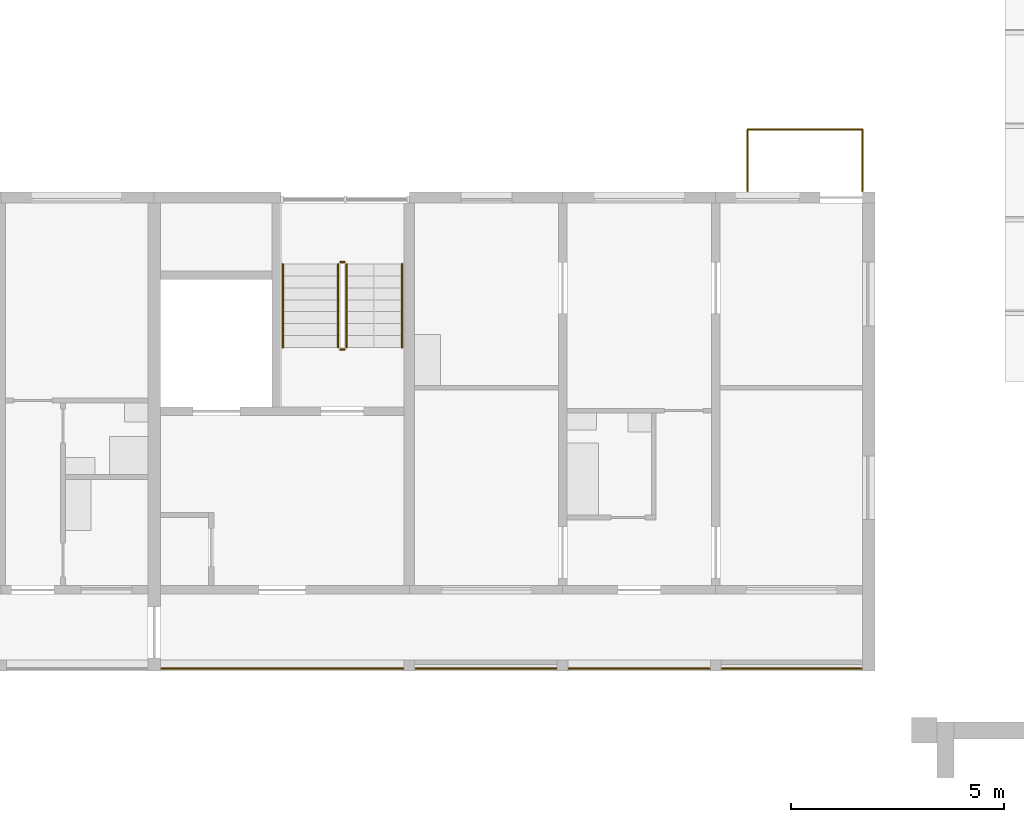
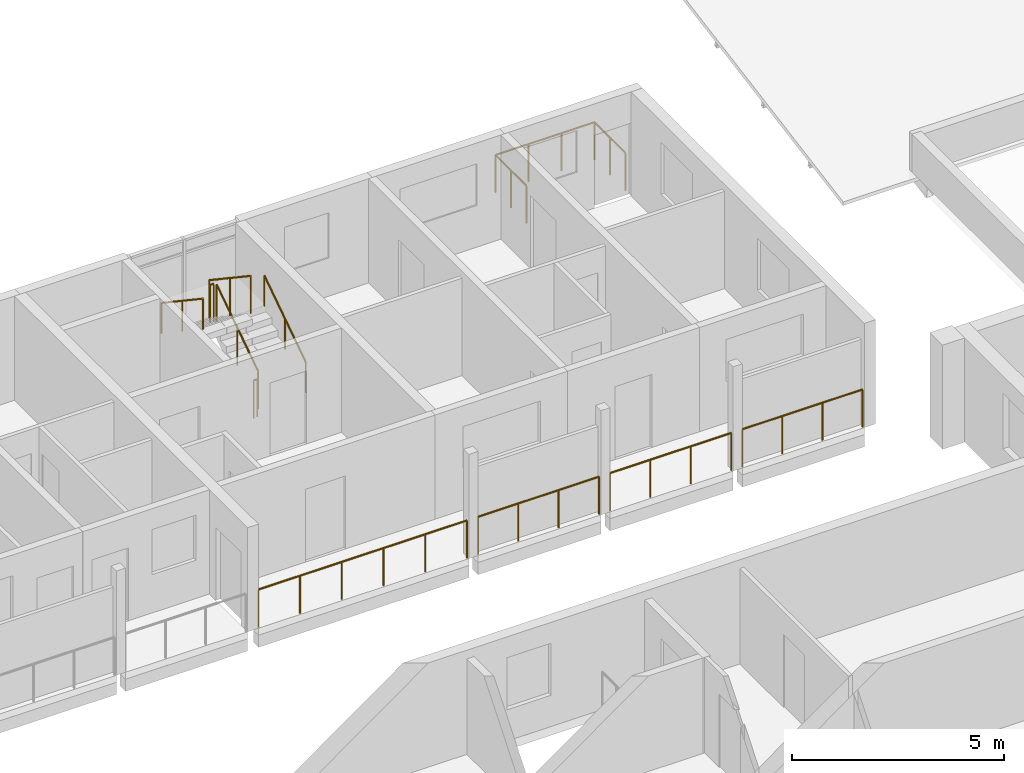
# One storey, part 110 of 122: 11 railings.
"""IFC4 building model written with IfcOpenShell, lengths in metres."""

from ifc_helpers import new_model, si_unit, direction, frame, origin, origin_2d, place, context, subcontext, project, spatial, circle, extrude, material, type_object, element, save


model = new_model("IFC4")

# Units and contexts
model_context = context("Model", 3, precision=1e-05, world=origin(), true_north=direction((0.0, 1.0)))
body_context = subcontext(model_context, "Body", "Model", "MODEL_VIEW")
ifc_project = project(units=[si_unit("LENGTHUNIT", "METRE"), si_unit("AREAUNIT", "SQUARE_METRE"), si_unit("VOLUMEUNIT", "CUBIC_METRE"), si_unit("PLANEANGLEUNIT", "RADIAN"), si_unit("MASSUNIT", "GRAM", prefix="KILO")], contexts=[model_context])

# Site, building, storey
site_placement = place(None, origin())
site = spatial("IfcSite", under=ifc_project, at=site_placement, CompositionType="ELEMENT")
building_placement = place(site_placement, origin())
building = spatial("IfcBuilding", under=site, at=building_placement, Name="Ridgestep Commons", CompositionType="ELEMENT")
storey_placement = place(building_placement, frame((0.0, 0.0, 3.0)))
storey = spatial("IfcBuildingStorey", under=building, at=storey_placement, Name="L01", CompositionType="ELEMENT", Elevation=3.0)

# Railings
ifc_material_1 = material(Name="Structural steel S355JR", Category="steel")
railing_type_1 = type_object("IfcRailingType", Name="Guard 1100", PredefinedType="GUARDRAIL", material=ifc_material_1)
railing_1_placement = place(storey_placement, frame((96.1708984375, 66.050048828125, 0.0)))
element("IfcRailing", 1, at=railing_1_placement, inside=storey, type_object=railing_type_1, Name="Gallery guard B 01.21", PredefinedType="GUARDRAIL", context=body_context, shape_type="SweptSolid", body=[
    extrude(circle(Radius=0.02392578125, at=origin_2d()), frame((0.0, 0.0, 1.076171875), z_axis=(1.0, 0.0, 0.0), x_axis=(0.0, 1.0, 0.0)), (0.0, 0.0, 1.0), 5.68310546875),
    extrude(circle(Radius=0.02099609375, at=origin_2d()), origin(), (0.0, 0.0, 1.0), 1.052001953125),
    extrude(circle(Radius=0.02099609375, at=origin_2d()), frame((1.13671875, 0.0, 0.0)), (0.0, 0.0, 1.0), 1.052001953125),
    extrude(circle(Radius=0.02099609375, at=origin_2d()), frame((2.273193359375, 0.0, 0.0)), (0.0, 0.0, 1.0), 1.052001953125),
    extrude(circle(Radius=0.02099609375, at=origin_2d()), frame((3.409912109375, 0.0, 0.0)), (0.0, 0.0, 1.0), 1.052001953125),
    extrude(circle(Radius=0.02099609375, at=origin_2d()), frame((4.54638671875, 0.0, 0.0)), (0.0, 0.0, 1.0), 1.052001953125),
    extrude(circle(Radius=0.02099609375, at=origin_2d()), frame((5.68310546875, 0.0, 0.0)), (0.0, 0.0, 1.0), 1.052001953125),
])
railing_2_placement = place(storey_placement, frame((102.14599609375, 66.050048828125, 0.0)))
element("IfcRailing", 2, at=railing_2_placement, inside=storey, type_object=railing_type_1, Name="Gallery guard B 01.22", PredefinedType="GUARDRAIL", context=body_context, shape_type="SweptSolid", body=[
    extrude(circle(Radius=0.02392578125, at=origin_2d()), frame((0.0, 0.0, 1.076171875), z_axis=(1.0, 0.0, 0.0), x_axis=(0.0, 1.0, 0.0)), (0.0, 0.0, 1.0), 3.30810546875),
    extrude(circle(Radius=0.02099609375, at=origin_2d()), origin(), (0.0, 0.0, 1.0), 1.052001953125),
    extrude(circle(Radius=0.02099609375, at=origin_2d()), frame((1.102783203125, 0.0, 0.0)), (0.0, 0.0, 1.0), 1.052001953125),
    extrude(circle(Radius=0.02099609375, at=origin_2d()), frame((2.205322265625, 0.0, 0.0)), (0.0, 0.0, 1.0), 1.052001953125),
    extrude(circle(Radius=0.02099609375, at=origin_2d()), frame((3.30810546875, 0.0, 0.0)), (0.0, 0.0, 1.0), 1.052001953125),
])
railing_3_placement = place(storey_placement, frame((105.74609375, 66.050048828125, 0.0)))
element("IfcRailing", 3, at=railing_3_placement, inside=storey, type_object=railing_type_1, Name="Gallery guard B 01.23", PredefinedType="GUARDRAIL", context=body_context, shape_type="SweptSolid", body=[
    extrude(circle(Radius=0.02392578125, at=origin_2d()), frame((0.0, 0.0, 1.076171875), z_axis=(1.0, 0.0, 0.0), x_axis=(0.0, 1.0, 0.0)), (0.0, 0.0, 1.0), 3.307861328125),
    extrude(circle(Radius=0.02099609375, at=origin_2d()), origin(), (0.0, 0.0, 1.0), 1.052001953125),
    extrude(circle(Radius=0.02099609375, at=origin_2d()), frame((1.1025390625, 0.0, 0.0)), (0.0, 0.0, 1.0), 1.052001953125),
    extrude(circle(Radius=0.02099609375, at=origin_2d()), frame((2.205322265625, 0.0, 0.0)), (0.0, 0.0, 1.0), 1.052001953125),
    extrude(circle(Radius=0.02099609375, at=origin_2d()), frame((3.307861328125, 0.0, 0.0)), (0.0, 0.0, 1.0), 1.052001953125),
])
railing_4_placement = place(storey_placement, frame((109.345947265625, 66.050048828125, 0.0)))
element("IfcRailing", 4, at=railing_4_placement, inside=storey, type_object=railing_type_1, Name="Gallery guard B 01.24", PredefinedType="GUARDRAIL", context=body_context, shape_type="SweptSolid", body=[
    extrude(circle(Radius=0.02392578125, at=origin_2d()), frame((0.0, 0.0, 1.076171875), z_axis=(1.0, 0.0, 0.0), x_axis=(0.0, 1.0, 0.0)), (0.0, 0.0, 1.0), 3.282958984375),
    extrude(circle(Radius=0.02099609375, at=origin_2d()), origin(), (0.0, 0.0, 1.0), 1.052001953125),
    extrude(circle(Radius=0.02099609375, at=origin_2d()), frame((1.09423828125, 0.0, 0.0)), (0.0, 0.0, 1.0), 1.052001953125),
    extrude(circle(Radius=0.02099609375, at=origin_2d()), frame((2.188720703125, 0.0, 0.0)), (0.0, 0.0, 1.0), 1.052001953125),
    extrude(circle(Radius=0.02099609375, at=origin_2d()), frame((3.282958984375, 0.0, 0.0)), (0.0, 0.0, 1.0), 1.052001953125),
])
ifc_material_2 = material(Name="Structural steel S355JR", Category="steel")
railing_type_2 = type_object("IfcRailingType", Name="Stair guard 1100", PredefinedType="GUARDRAIL", material=ifc_material_2)
railing_5_placement = place(storey_placement, frame((100.52490234375, 73.60009765625, 0.1875)))
element("IfcRailing", 5, at=railing_5_placement, inside=storey, type_object=railing_type_2, Name="L01 B6C stair guard 1", PredefinedType="GUARDRAIL", context=body_context, shape_type="SweptSolid", body=[
    extrude(circle(Radius=0.02392578125, at=origin_2d()), frame((0.0, 0.0, 1.076171875), z_axis=(0.0, 0.830902050051, 0.556418712142), x_axis=(-1.0, 0.0, 0.0)), (0.0, 0.0, 1.0), 2.35888671875),
    extrude(circle(Radius=0.02099609375, at=origin_2d()), origin(), (0.0, 0.0, 1.0), 1.052001953125),
    extrude(circle(Radius=0.02099609375, at=origin_2d()), frame((0.0, 0.97998046875, 0.65625)), (0.0, 0.0, 1.0), 1.052001953125),
    extrude(circle(Radius=0.02099609375, at=origin_2d()), frame((0.0, 1.9599609375, 1.3125)), (0.0, 0.0, 1.0), 1.052001953125),
])
railing_6_placement = place(storey_placement, frame((100.47509765625, 75.610107421875, 1.5)))
element("IfcRailing", 6, at=railing_6_placement, inside=storey, type_object=railing_type_2, Name="L01 B6C stair guard 2", PredefinedType="GUARDRAIL", context=body_context, shape_type="SweptSolid", body=[
    extrude(circle(Radius=0.02392578125, at=origin_2d()), frame((0.0, 0.0, 1.076171875), z_axis=(-1.0, 0.0, 0.0), x_axis=(0.0, -1.0, 0.0)), (0.0, 0.0, 1.0), 0.10009765625),
    extrude(circle(Radius=0.02099609375, at=origin_2d()), origin(), (0.0, 0.0, 1.0), 1.052001953125),
    extrude(circle(Radius=0.02099609375, at=origin_2d()), frame((-0.10009765625, 0.0, 0.0)), (0.0, 0.0, 1.0), 1.052001953125),
])
railing_7_placement = place(storey_placement, frame((100.324951171875, 75.56005859375, 1.6875)))
element("IfcRailing", 7, at=railing_7_placement, inside=storey, type_object=railing_type_2, Name="L01 B6C stair guard 3", PredefinedType="GUARDRAIL", context=body_context, shape_type="SweptSolid", body=[
    extrude(circle(Radius=0.02392578125, at=origin_2d()), frame((0.0, 0.0, 1.076171875), z_axis=(0.0, -0.830902050051, 0.556418712142), x_axis=(1.0, 0.0, 0.0)), (0.0, 0.0, 1.0), 2.35888671875),
    extrude(circle(Radius=0.02099609375, at=origin_2d()), origin(), (0.0, 0.0, 1.0), 1.052001953125),
    extrude(circle(Radius=0.02099609375, at=origin_2d()), frame((0.0, -0.97998046875, 0.65625)), (0.0, 0.0, 1.0), 1.052001953125),
    extrude(circle(Radius=0.02099609375, at=origin_2d()), frame((0.0, -1.9599609375, 1.3125)), (0.0, 0.0, 1.0), 1.052001953125),
])
railing_8_placement = place(storey_placement, frame((100.47509765625, 73.550048828125, 0.0)))
element("IfcRailing", 8, at=railing_8_placement, inside=storey, type_object=railing_type_2, Name="L01 B6C stair guard 4", PredefinedType="GUARDRAIL", context=body_context, shape_type="SweptSolid", body=[
    extrude(circle(Radius=0.02392578125, at=origin_2d()), frame((0.0, 0.0, 1.076171875), z_axis=(-1.0, 0.0, 0.0), x_axis=(0.0, -1.0, 0.0)), (0.0, 0.0, 1.0), 0.10009765625),
    extrude(circle(Radius=0.02099609375, at=origin_2d()), origin(), (0.0, 0.0, 1.0), 1.052001953125),
    extrude(circle(Radius=0.02099609375, at=origin_2d()), frame((-0.10009765625, 0.0, 0.0)), (0.0, 0.0, 1.0), 1.052001953125),
])
ifc_material_3 = material(Name="Structural steel S355JR", Category="steel")
railing_type_3 = type_object("IfcRailingType", Name="Stair handrail 900", PredefinedType="HANDRAIL", material=ifc_material_3)
railing_9_placement = place(storey_placement, frame((101.824951171875, 73.60009765625, 0.1875)))
element("IfcRailing", 9, at=railing_9_placement, inside=storey, type_object=railing_type_3, Name="L01 B6C stair handrail 1", PredefinedType="HANDRAIL", context=body_context, shape_type="SweptSolid", body=[
    extrude(circle(Radius=0.02392578125, at=origin_2d()), frame((0.0, 0.0, 0.8759765625), z_axis=(0.0, 0.830902050051, 0.556418712142), x_axis=(-1.0, 0.0, 0.0)), (0.0, 0.0, 1.0), 2.35888671875),
    extrude(circle(Radius=0.02099609375, at=origin_2d()), origin(), (0.0, 0.0, 1.0), 0.851806640625),
    extrude(circle(Radius=0.02099609375, at=origin_2d()), frame((0.0, 0.97998046875, 0.65625)), (0.0, 0.0, 1.0), 0.851806640625),
    extrude(circle(Radius=0.02099609375, at=origin_2d()), frame((0.0, 1.9599609375, 1.3125)), (0.0, 0.0, 1.0), 0.851806640625),
])
railing_10_placement = place(storey_placement, frame((99.02490234375, 75.56005859375, 1.6875)))
element("IfcRailing", 10, at=railing_10_placement, inside=storey, type_object=railing_type_3, Name="L01 B6C stair handrail 2", PredefinedType="HANDRAIL", context=body_context, shape_type="SweptSolid", body=[
    extrude(circle(Radius=0.02392578125, at=origin_2d()), frame((0.0, 0.0, 0.8759765625), z_axis=(0.0, -0.830902050051, 0.556418712142), x_axis=(1.0, 0.0, 0.0)), (0.0, 0.0, 1.0), 2.35888671875),
    extrude(circle(Radius=0.02099609375, at=origin_2d()), origin(), (0.0, 0.0, 1.0), 0.851806640625),
    extrude(circle(Radius=0.02099609375, at=origin_2d()), frame((0.0, -0.97998046875, 0.65625)), (0.0, 0.0, 1.0), 0.851806640625),
    extrude(circle(Radius=0.02099609375, at=origin_2d()), frame((0.0, -1.9599609375, 1.3125)), (0.0, 0.0, 1.0), 0.851806640625),
])
ifc_material_4 = material(Name="Weathering steel S355J2W", Category="steel")
railing_type_4 = type_object("IfcRailingType", Name="Tray guard 1100", PredefinedType="GUARDRAIL", material=ifc_material_4)
railing_11_placement = place(storey_placement, frame((109.950927734375, 77.27099609375, 0.0)))
element("IfcRailing", 11, at=railing_11_placement, inside=storey, type_object=railing_type_4, Name="Tray guard B6T1-01", PredefinedType="GUARDRAIL", context=body_context, shape_type="SweptSolid", body=[
    extrude(circle(Radius=0.02392578125, at=origin_2d()), frame((0.0, 0.0, 1.076171875), z_axis=(0.0, 1.0, 0.0), x_axis=(-1.0, 0.0, 0.0)), (0.0, 0.0, 1.0), 1.4580078125),
    extrude(circle(Radius=0.02392578125, at=origin_2d()), frame((0.0, 1.4580078125, 1.076171875), z_axis=(1.0, 0.0, 0.0), x_axis=(0.0, 1.0, 0.0)), (0.0, 0.0, 1.0), 2.697998046875),
    extrude(circle(Radius=0.02392578125, at=origin_2d()), frame((2.697998046875, 1.4580078125, 1.076171875), z_axis=(0.0, -1.0, 0.0), x_axis=(1.0, 0.0, 0.0)), (0.0, 0.0, 1.0), 1.4580078125),
    extrude(circle(Radius=0.02099609375, at=origin_2d()), origin(), (0.0, 0.0, 1.0), 1.052001953125),
    extrude(circle(Radius=0.02099609375, at=origin_2d()), frame((0.0, 0.72900390625, 0.0)), (0.0, 0.0, 1.0), 1.052001953125),
    extrude(circle(Radius=0.02099609375, at=origin_2d()), frame((0.0, 1.4580078125, 0.0)), (0.0, 0.0, 1.0), 1.052001953125),
    extrude(circle(Radius=0.02099609375, at=origin_2d()), frame((0.8994140625, 1.4580078125, 0.0)), (0.0, 0.0, 1.0), 1.052001953125),
    extrude(circle(Radius=0.02099609375, at=origin_2d()), frame((1.798583984375, 1.4580078125, 0.0)), (0.0, 0.0, 1.0), 1.052001953125),
    extrude(circle(Radius=0.02099609375, at=origin_2d()), frame((2.697998046875, 1.4580078125, 0.0)), (0.0, 0.0, 1.0), 1.052001953125),
    extrude(circle(Radius=0.02099609375, at=origin_2d()), frame((2.697998046875, 0.72900390625, 0.0)), (0.0, 0.0, 1.0), 1.052001953125),
    extrude(circle(Radius=0.02099609375, at=origin_2d()), frame((2.697998046875, 0.0, 0.0)), (0.0, 0.0, 1.0), 1.052001953125),
])

save(model, "model.ifc")
